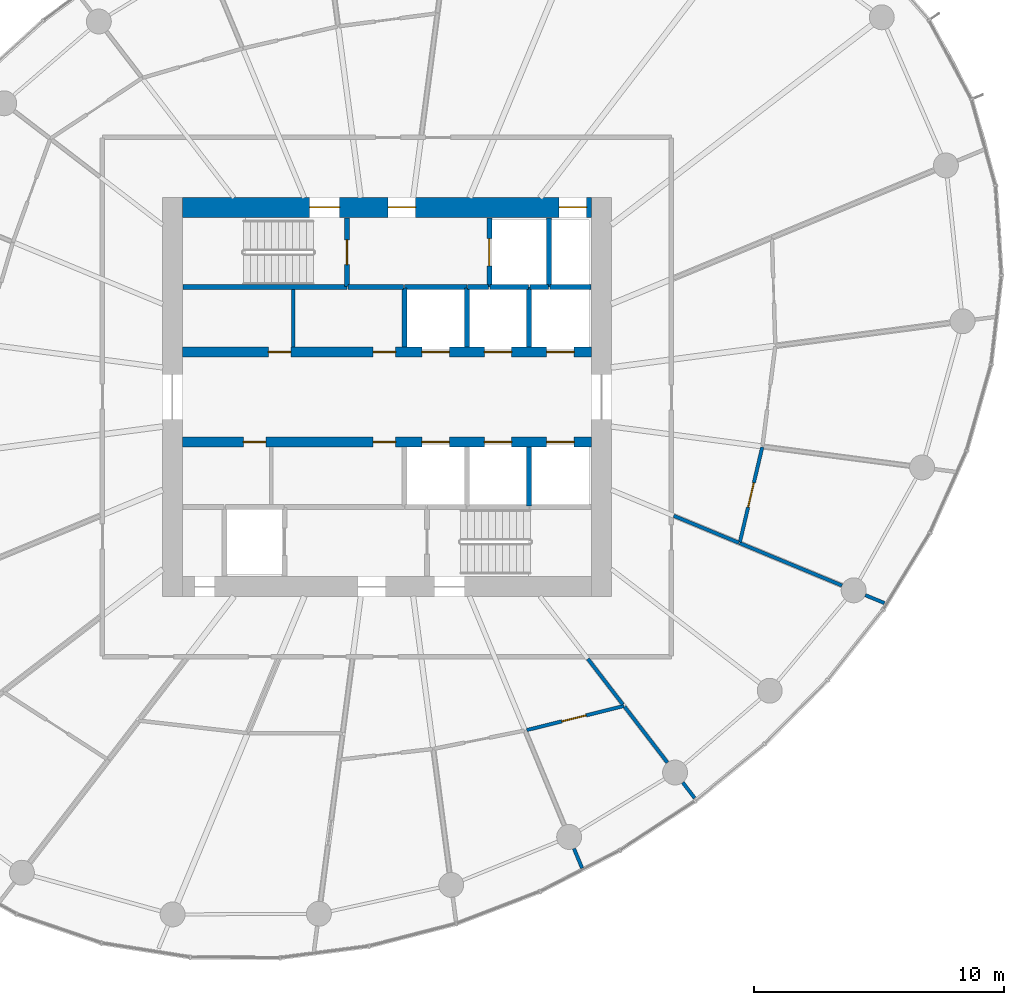
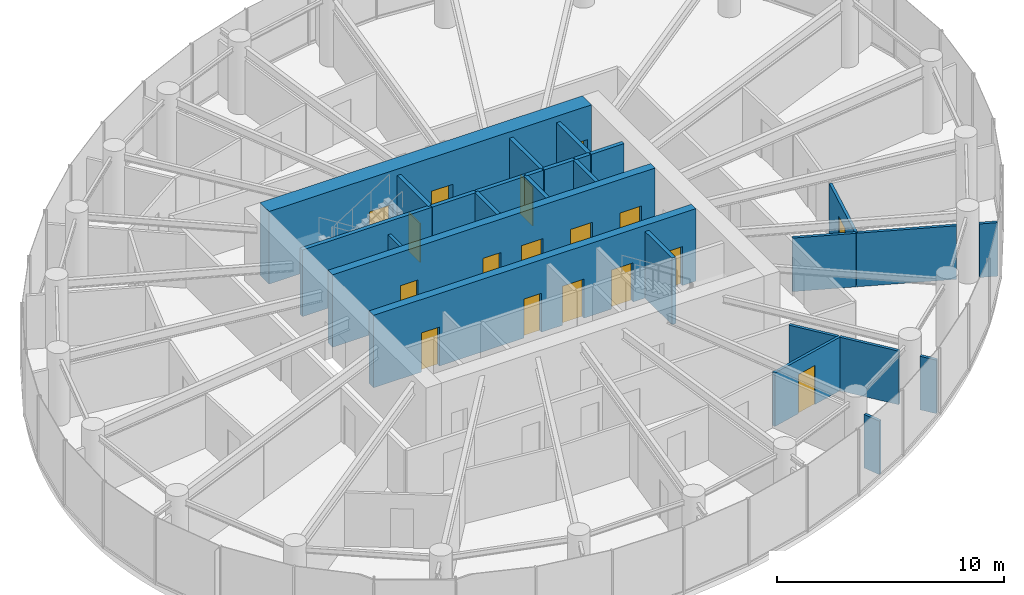
# One storey, part 10 of 14: 27 walls, 17 doors, 17 openings.
"""IFC4 building model written with IfcOpenShell, lengths in metres."""

from ifc_helpers import new_model, si_unit, direction, frame, frame_2d, origin, place, context, subcontext, project, spatial, rectangle, extrude, source, transform, mapped, material, layer, layer_set, type_object, element, fill, save


model = new_model("IFC4")

# Units and contexts
model_context = context("Model", 3, precision=1e-05, world=origin(), true_north=direction((0.0, 1.0)))
body_context = subcontext(model_context, "Body", "Model", "MODEL_VIEW")
ifc_project = project(units=[si_unit("LENGTHUNIT", "METRE"), si_unit("AREAUNIT", "SQUARE_METRE"), si_unit("VOLUMEUNIT", "CUBIC_METRE"), si_unit("PLANEANGLEUNIT", "RADIAN"), si_unit("MASSUNIT", "GRAM", prefix="KILO")], contexts=[model_context])

# Site, building, storey
site_placement = place(None, origin())
site = spatial("IfcSite", under=ifc_project, at=site_placement, CompositionType="ELEMENT")
building_placement = place(site_placement, origin())
building = spatial("IfcBuilding", under=site, at=building_placement, Name="Spindrift Exchange Tower", CompositionType="ELEMENT")
storey_placement = place(building_placement, frame((0.0, 0.0, 152.60009765625)))
storey = spatial("IfcBuildingStorey", under=building, at=storey_placement, Name="L36", CompositionType="ELEMENT", Elevation=152.60009765625)

# Wall, openings, doors
ifc_material_1 = material(Name="Concrete 65 MPa", Category="concrete")
ifc_layer_1 = layer(ifc_material_1, 0.800048828125)
ifc_layer_set_1 = layer_set([ifc_layer_1], Name="RC Core Wall 800 Concrete 65 MPa")
wall_type_1 = type_object("IfcWallType", Name="RC Core Wall 800 Concrete 65 MPa", PredefinedType="SHEAR", material=ifc_layer_set_1)
wall_1_placement = place(storey_placement, frame((60.199951171875, 55.60009765625, 0.0), z_axis=(0.0, 0.0, 1.0), x_axis=(-1.0, 0.0, 0.0)))
wall_1 = element("IfcWall", 1, at=wall_1_placement, inside=storey, type_object=wall_type_1, Name="Core wall N L36", PredefinedType="SHEAR", context=body_context, shape_type="SweptSolid", body=[
    extrude(rectangle(XDim=16.39990234375, YDim=0.800048828125, at=frame_2d((8.199951171875, 0.0))), origin(), (0.0, 0.0, 1.0), 3.89990234375),
])
opening_1_placement = place(wall_1_placement, frame((0.199951171875, 0.0, 0.0)))
opening_1 = element("IfcOpeningElement", 2, at=opening_1_placement, cuts=wall_1, Name="Opening L36-D11", PredefinedType="OPENING", context=body_context, shape_type="SweptSolid", body=[
    extrude(rectangle(XDim=1.10009765625, YDim=2.10009765625, at=frame_2d((0.550048828125, 1.050048828125))), frame((0.0, 0.409912109375, 0.0), z_axis=(0.0, -1.0, 0.0), x_axis=(1.0, 0.0, 0.0)), (0.0, 0.0, 1.0), 0.820068359375),
])
opening_2_placement = place(wall_1_placement, frame((10.10009765625, 0.0, 0.0)))
opening_2 = element("IfcOpeningElement", 3, at=opening_2_placement, cuts=wall_1, Name="Opening L36-D12", PredefinedType="OPENING", context=body_context, shape_type="SweptSolid", body=[
    extrude(rectangle(XDim=1.199951171875, YDim=2.10009765625, at=frame_2d((0.60009765625, 1.050048828125))), frame((0.0, 0.409912109375, 0.0), z_axis=(0.0, -1.0, 0.0), x_axis=(1.0, 0.0, 0.0)), (0.0, 0.0, 1.0), 0.820068359375),
])
opening_3_placement = place(wall_1_placement, frame((7.050048828125, 0.0, 0.0)))
opening_3 = element("IfcOpeningElement", 4, at=opening_3_placement, cuts=wall_1, Name="Opening L36-D14", PredefinedType="OPENING", context=body_context, shape_type="SweptSolid", body=[
    extrude(rectangle(XDim=1.10009765625, YDim=2.10009765625, at=frame_2d((0.550048828125, 1.050048828125))), frame((0.0, 0.409912109375, 0.0), z_axis=(0.0, -1.0, 0.0), x_axis=(1.0, 0.0, 0.0)), (0.0, 0.0, 1.0), 0.820068359375),
])
ifc_material_2 = material(Name="Stainless steel landing door", Category="steel")
door_type_1 = type_object("IfcDoorType", Name="DR-LANDING-1100-SL", OperationType="DOUBLE_DOOR_SLIDING", PredefinedType="USERDEFINED", material=ifc_material_2)
shared_shape_1 = source(origin(), body_context, "Body", "SweptSolid", [
    extrude(rectangle(XDim=1.10009765625, YDim=2.10009765625, at=frame_2d((0.550048828125, 1.050048828125))), frame((0.0, 0.02490234375, 0.0), z_axis=(0.0, -1.0, 0.0), x_axis=(1.0, 0.0, 0.0)), (0.0, 0.0, 1.0), 0.050048828125),
])
door_1_placement = place(opening_1_placement, origin())
door_1 = element("IfcDoor", 5, at=door_1_placement, inside=storey, type_object=door_type_1, Name="L36 Lift landing door 11", ObjectType="LANDING DOOR", OperationType="DOUBLE_DOOR_SLIDING", OverallHeight=2.10009765625, OverallWidth=1.10009765625, PredefinedType="USERDEFINED", context=body_context, shape_type="MappedRepresentation", body=[
    mapped(shared_shape_1, transform((0.0, 0.0, 0.0), scale=1.0)),
])
fill(opening_1, door_1)
ifc_material_3 = material(Name="Steel fire door", Category="steel")
door_type_2 = type_object("IfcDoorType", Name="DR-STAIR-1200", OperationType="NOTDEFINED", PredefinedType="DOOR", material=ifc_material_3)
shared_shape_2 = source(origin(), body_context, "Body", "SweptSolid", [
    extrude(rectangle(XDim=1.199951171875, YDim=2.10009765625, at=frame_2d((0.60009765625, 1.050048828125))), frame((0.0, 0.02490234375, 0.0), z_axis=(0.0, -1.0, 0.0), x_axis=(1.0, 0.0, 0.0)), (0.0, 0.0, 1.0), 0.050048828125),
])
door_2_placement = place(opening_2_placement, origin())
door_2 = element("IfcDoor", 6, at=door_2_placement, inside=storey, type_object=door_type_2, Name="L36 Stair door 12", OperationType="SINGLE_SWING_RIGHT", OverallHeight=2.10009765625, OverallWidth=1.199951171875, PredefinedType="DOOR", context=body_context, shape_type="MappedRepresentation", body=[
    mapped(shared_shape_2, transform((0.0, 0.0, 0.0), scale=1.0)),
])
fill(opening_2, door_2)
ifc_material_4 = material(Name="Timber-core fire door", Category="wood")
door_type_3 = type_object("IfcDoorType", Name="DR-LOBBY-1100", OperationType="NOTDEFINED", PredefinedType="DOOR", material=ifc_material_4)
shared_shape_3 = source(origin(), body_context, "Body", "SweptSolid", [
    extrude(rectangle(XDim=1.10009765625, YDim=2.10009765625, at=frame_2d((0.550048828125, 1.050048828125))), frame((0.0, 0.02490234375, 0.0), z_axis=(0.0, -1.0, 0.0), x_axis=(1.0, 0.0, 0.0)), (0.0, 0.0, 1.0), 0.050048828125),
])
door_3_placement = place(opening_3_placement, origin())
door_3 = element("IfcDoor", 7, at=door_3_placement, inside=storey, type_object=door_type_3, Name="L36 Lobby door 14", OperationType="SINGLE_SWING_RIGHT", OverallHeight=2.10009765625, OverallWidth=1.10009765625, PredefinedType="DOOR", context=body_context, shape_type="MappedRepresentation", body=[
    mapped(shared_shape_3, transform((0.0, 0.0, 0.0), scale=1.0)),
])
fill(opening_3, door_3)

ifc_layer_2 = layer(ifc_material_1, 0.39990234375)
ifc_layer_set_2 = layer_set([ifc_layer_2], Name="RC Spine Wall 400 Concrete 65 MPa")
wall_type_2 = type_object("IfcWallType", Name="RC Spine Wall 400 Concrete 65 MPa", PredefinedType="SHEAR", material=ifc_layer_set_2)
wall_2_placement = place(storey_placement, frame((43.800048828125, 49.800048828125, 0.0), z_axis=(0.0, 0.0, 1.0), x_axis=(1.0, 0.0, 0.0)))
wall_2 = element("IfcWall", 8, at=wall_2_placement, inside=storey, type_object=wall_type_2, Name="Core spine wall N L36", PredefinedType="SHEAR", context=body_context, shape_type="SweptSolid", body=[
    extrude(rectangle(XDim=16.39990234375, YDim=0.39990234375, at=frame_2d((8.199951171875, 0.0))), origin(), (0.0, 0.0, 1.0), 3.89990234375),
])
opening_4_placement = place(wall_2_placement, frame((9.60009765625, 0.0, 0.0)))
opening_4 = element("IfcOpeningElement", 9, at=opening_4_placement, cuts=wall_2, Name="Opening L36-D3", PredefinedType="OPENING", context=body_context, shape_type="SweptSolid", body=[
    extrude(rectangle(XDim=1.10009765625, YDim=2.10009765625, at=frame_2d((0.550048828125, 1.050048828125))), frame((0.0, 0.2099609375, 0.0), z_axis=(0.0, -1.0, 0.0), x_axis=(1.0, 0.0, 0.0)), (0.0, 0.0, 1.0), 0.419921875),
])
opening_5_placement = place(wall_2_placement, frame((12.10009765625, 0.0, 0.0)))
opening_5 = element("IfcOpeningElement", 10, at=opening_5_placement, cuts=wall_2, Name="Opening L36-D4", PredefinedType="OPENING", context=body_context, shape_type="SweptSolid", body=[
    extrude(rectangle(XDim=1.10009765625, YDim=2.10009765625, at=frame_2d((0.550048828125, 1.050048828125))), frame((0.0, 0.2099609375, 0.0), z_axis=(0.0, -1.0, 0.0), x_axis=(1.0, 0.0, 0.0)), (0.0, 0.0, 1.0), 0.419921875),
])
opening_6_placement = place(wall_2_placement, frame((14.60009765625, 0.0, 0.0)))
opening_6 = element("IfcOpeningElement", 11, at=opening_6_placement, cuts=wall_2, Name="Opening L36-D5", PredefinedType="OPENING", context=body_context, shape_type="SweptSolid", body=[
    extrude(rectangle(XDim=1.10009765625, YDim=2.10009765625, at=frame_2d((0.550048828125, 1.050048828125))), frame((0.0, 0.2099609375, 0.0), z_axis=(0.0, -1.0, 0.0), x_axis=(1.0, 0.0, 0.0)), (0.0, 0.0, 1.0), 0.419921875),
])
opening_7_placement = place(wall_2_placement, frame((3.449951171875, 0.0, 0.0)))
opening_7 = element("IfcOpeningElement", 12, at=opening_7_placement, cuts=wall_2, Name="Opening L36-D45", PredefinedType="OPENING", context=body_context, shape_type="SweptSolid", body=[
    extrude(rectangle(XDim=0.89990234375, YDim=2.10009765625, at=frame_2d((0.449951171875, 1.050048828125))), frame((0.0, 0.2099609375, 0.0), z_axis=(0.0, -1.0, 0.0), x_axis=(1.0, 0.0, 0.0)), (0.0, 0.0, 1.0), 0.419921875),
])
opening_8_placement = place(wall_2_placement, frame((7.64990234375, 0.0, 0.0)))
opening_8 = element("IfcOpeningElement", 13, at=opening_8_placement, cuts=wall_2, Name="Opening L36-D46", PredefinedType="OPENING", context=body_context, shape_type="SweptSolid", body=[
    extrude(rectangle(XDim=0.89990234375, YDim=2.10009765625, at=frame_2d((0.449951171875, 1.050048828125))), frame((0.0, 0.2099609375, 0.0), z_axis=(0.0, -1.0, 0.0), x_axis=(1.0, 0.0, 0.0)), (0.0, 0.0, 1.0), 0.419921875),
])
door_4_placement = place(opening_4_placement, origin())
door_4 = element("IfcDoor", 14, at=door_4_placement, inside=storey, type_object=door_type_1, Name="L36 Lift landing door 3", ObjectType="LANDING DOOR", OperationType="DOUBLE_DOOR_SLIDING", OverallHeight=2.10009765625, OverallWidth=1.10009765625, PredefinedType="USERDEFINED", context=body_context, shape_type="MappedRepresentation", body=[
    mapped(shared_shape_1, transform((0.0, 0.0, 0.0), scale=1.0)),
])
fill(opening_4, door_4)
door_5_placement = place(opening_5_placement, origin())
door_5 = element("IfcDoor", 15, at=door_5_placement, inside=storey, type_object=door_type_1, Name="L36 Lift landing door 4", ObjectType="LANDING DOOR", OperationType="DOUBLE_DOOR_SLIDING", OverallHeight=2.10009765625, OverallWidth=1.10009765625, PredefinedType="USERDEFINED", context=body_context, shape_type="MappedRepresentation", body=[
    mapped(shared_shape_1, transform((0.0, 0.0, 0.0), scale=1.0)),
])
fill(opening_5, door_5)
door_6_placement = place(opening_6_placement, origin())
door_6 = element("IfcDoor", 16, at=door_6_placement, inside=storey, type_object=door_type_1, Name="L36 Lift landing door 5", ObjectType="LANDING DOOR", OperationType="DOUBLE_DOOR_SLIDING", OverallHeight=2.10009765625, OverallWidth=1.10009765625, PredefinedType="USERDEFINED", context=body_context, shape_type="MappedRepresentation", body=[
    mapped(shared_shape_1, transform((0.0, 0.0, 0.0), scale=1.0)),
])
fill(opening_6, door_6)
ifc_material_5 = material(Name="Steel access door", Category="steel")
door_type_4 = type_object("IfcDoorType", Name="DR-RISER-900", OperationType="NOTDEFINED", PredefinedType="DOOR", material=ifc_material_5)
shared_shape_4 = source(origin(), body_context, "Body", "SweptSolid", [
    extrude(rectangle(XDim=0.89990234375, YDim=2.10009765625, at=frame_2d((0.449951171875, 1.050048828125))), frame((0.0, 0.02490234375, 0.0), z_axis=(0.0, -1.0, 0.0), x_axis=(1.0, 0.0, 0.0)), (0.0, 0.0, 1.0), 0.050048828125),
])
door_7_placement = place(opening_7_placement, origin())
door_7 = element("IfcDoor", 17, at=door_7_placement, inside=storey, type_object=door_type_4, Name="L36 Riser door 45", OperationType="SINGLE_SWING_LEFT", OverallHeight=2.10009765625, OverallWidth=0.89990234375, PredefinedType="DOOR", context=body_context, shape_type="MappedRepresentation", body=[
    mapped(shared_shape_4, transform((0.0, 0.0, 0.0), scale=1.0)),
])
fill(opening_7, door_7)
door_8_placement = place(opening_8_placement, origin())
door_8 = element("IfcDoor", 18, at=door_8_placement, inside=storey, type_object=door_type_4, Name="L36 Riser door 46", OperationType="SINGLE_SWING_RIGHT", OverallHeight=2.10009765625, OverallWidth=0.89990234375, PredefinedType="DOOR", context=body_context, shape_type="MappedRepresentation", body=[
    mapped(shared_shape_4, transform((0.0, 0.0, 0.0), scale=1.0)),
])
fill(opening_8, door_8)

wall_3_placement = place(storey_placement, frame((43.800048828125, 46.199951171875, 0.0), z_axis=(0.0, 0.0, 1.0), x_axis=(1.0, 0.0, 0.0)))
wall_3 = element("IfcWall", 19, at=wall_3_placement, inside=storey, type_object=wall_type_2, Name="Core spine wall S L36", PredefinedType="SHEAR", context=body_context, shape_type="SweptSolid", body=[
    extrude(rectangle(XDim=16.39990234375, YDim=0.39990234375, at=frame_2d((8.199951171875, 0.0))), origin(), (0.0, 0.0, 1.0), 3.89990234375),
])
opening_9_placement = place(wall_3_placement, frame((9.60009765625, 0.0, 0.0)))
opening_9 = element("IfcOpeningElement", 20, at=opening_9_placement, cuts=wall_3, Name="Opening L36-D6", PredefinedType="OPENING", context=body_context, shape_type="SweptSolid", body=[
    extrude(rectangle(XDim=1.10009765625, YDim=2.10009765625, at=frame_2d((0.550048828125, 1.050048828125))), frame((0.0, 0.2099609375, 0.0), z_axis=(0.0, -1.0, 0.0), x_axis=(1.0, 0.0, 0.0)), (0.0, 0.0, 1.0), 0.419921875),
])
opening_10_placement = place(wall_3_placement, frame((12.10009765625, 0.0, 0.0)))
opening_10 = element("IfcOpeningElement", 21, at=opening_10_placement, cuts=wall_3, Name="Opening L36-D7", PredefinedType="OPENING", context=body_context, shape_type="SweptSolid", body=[
    extrude(rectangle(XDim=1.10009765625, YDim=2.10009765625, at=frame_2d((0.550048828125, 1.050048828125))), frame((0.0, 0.2099609375, 0.0), z_axis=(0.0, -1.0, 0.0), x_axis=(1.0, 0.0, 0.0)), (0.0, 0.0, 1.0), 0.419921875),
])
opening_11_placement = place(wall_3_placement, frame((14.60009765625, 0.0, 0.0)))
opening_11 = element("IfcOpeningElement", 22, at=opening_11_placement, cuts=wall_3, Name="Opening L36-D8", PredefinedType="OPENING", context=body_context, shape_type="SweptSolid", body=[
    extrude(rectangle(XDim=1.10009765625, YDim=2.10009765625, at=frame_2d((0.550048828125, 1.050048828125))), frame((0.0, 0.2099609375, 0.0), z_axis=(0.0, -1.0, 0.0), x_axis=(1.0, 0.0, 0.0)), (0.0, 0.0, 1.0), 0.419921875),
])
opening_12_placement = place(wall_3_placement, frame((2.449951171875, 0.0, 0.0)))
opening_12 = element("IfcOpeningElement", 23, at=opening_12_placement, cuts=wall_3, Name="Opening L36-D47", PredefinedType="OPENING", context=body_context, shape_type="SweptSolid", body=[
    extrude(rectangle(XDim=0.89990234375, YDim=2.10009765625, at=frame_2d((0.449951171875, 1.050048828125))), frame((0.0, 0.2099609375, 0.0), z_axis=(0.0, -1.0, 0.0), x_axis=(1.0, 0.0, 0.0)), (0.0, 0.0, 1.0), 0.419921875),
])
opening_13_placement = place(wall_3_placement, frame((7.64990234375, 0.0, 0.0)))
opening_13 = element("IfcOpeningElement", 24, at=opening_13_placement, cuts=wall_3, Name="Opening L36-D48", PredefinedType="OPENING", context=body_context, shape_type="SweptSolid", body=[
    extrude(rectangle(XDim=0.89990234375, YDim=2.10009765625, at=frame_2d((0.449951171875, 1.050048828125))), frame((0.0, 0.2099609375, 0.0), z_axis=(0.0, -1.0, 0.0), x_axis=(1.0, 0.0, 0.0)), (0.0, 0.0, 1.0), 0.419921875),
])
door_9_placement = place(opening_9_placement, origin())
door_9 = element("IfcDoor", 25, at=door_9_placement, inside=storey, type_object=door_type_1, Name="L36 Lift landing door 6", ObjectType="LANDING DOOR", OperationType="DOUBLE_DOOR_SLIDING", OverallHeight=2.10009765625, OverallWidth=1.10009765625, PredefinedType="USERDEFINED", context=body_context, shape_type="MappedRepresentation", body=[
    mapped(shared_shape_1, transform((0.0, 0.0, 0.0), scale=1.0)),
])
fill(opening_9, door_9)
door_10_placement = place(opening_10_placement, origin())
door_10 = element("IfcDoor", 26, at=door_10_placement, inside=storey, type_object=door_type_1, Name="L36 Lift landing door 7", ObjectType="LANDING DOOR", OperationType="DOUBLE_DOOR_SLIDING", OverallHeight=2.10009765625, OverallWidth=1.10009765625, PredefinedType="USERDEFINED", context=body_context, shape_type="MappedRepresentation", body=[
    mapped(shared_shape_1, transform((0.0, 0.0, 0.0), scale=1.0)),
])
fill(opening_10, door_10)
door_11_placement = place(opening_11_placement, origin())
door_11 = element("IfcDoor", 27, at=door_11_placement, inside=storey, type_object=door_type_1, Name="L36 Lift landing door 8", ObjectType="LANDING DOOR", OperationType="DOUBLE_DOOR_SLIDING", OverallHeight=2.10009765625, OverallWidth=1.10009765625, PredefinedType="USERDEFINED", context=body_context, shape_type="MappedRepresentation", body=[
    mapped(shared_shape_1, transform((0.0, 0.0, 0.0), scale=1.0)),
])
fill(opening_11, door_11)
door_12_placement = place(opening_12_placement, origin())
door_12 = element("IfcDoor", 28, at=door_12_placement, inside=storey, type_object=door_type_4, Name="L36 Riser door 47", OperationType="SINGLE_SWING_LEFT", OverallHeight=2.10009765625, OverallWidth=0.89990234375, PredefinedType="DOOR", context=body_context, shape_type="MappedRepresentation", body=[
    mapped(shared_shape_4, transform((0.0, 0.0, 0.0), scale=1.0)),
])
fill(opening_12, door_12)
door_13_placement = place(opening_13_placement, origin())
door_13 = element("IfcDoor", 29, at=door_13_placement, inside=storey, type_object=door_type_4, Name="L36 Riser door 48", OperationType="SINGLE_SWING_RIGHT", OverallHeight=2.10009765625, OverallWidth=0.89990234375, PredefinedType="DOOR", context=body_context, shape_type="MappedRepresentation", body=[
    mapped(shared_shape_4, transform((0.0, 0.0, 0.0), scale=1.0)),
])
fill(opening_13, door_13)

# Wall
ifc_material_6 = material(Name="Fire-rated plasterboard partition", Category="gypsum")
ifc_layer_3 = layer(ifc_material_6, 0.139892578125)
ifc_layer_set_3 = layer_set([ifc_layer_3], Name="W-PART-140")
wall_type_3 = type_object("IfcWallType", Name="W-PART-140", PredefinedType="PARTITIONING", material=ifc_layer_set_3)
wall_4_placement = place(storey_placement, frame((66.130615234375, 42.14697265625, 0.0), z_axis=(0.0, 0.0, 1.0), x_axis=(0.923872072557, -0.382701441792, 0.0)))
element("IfcWall", 30, at=wall_4_placement, inside=storey, type_object=wall_type_3, Name="L36 Partition wall 47", PredefinedType="PARTITIONING", context=body_context, shape_type="SweptSolid", body=[
    extrude(rectangle(XDim=4.440185546875, YDim=0.139892578125, at=frame_2d((2.22021484375, 0.0))), origin(), (0.0, 0.0, 1.0), 2.8798828125),
])

# Wall, opening, door
wall_5_placement = place(storey_placement, frame((61.498779296875, 35.620849609375, 0.0), z_axis=(0.0, 0.0, 1.0), x_axis=(-0.970705214058, -0.240273567836, 0.0)))
wall_5 = element("IfcWall", 31, at=wall_5_placement, inside=storey, type_object=wall_type_3, Name="L36 Partition wall 58", PredefinedType="PARTITIONING", context=body_context, shape_type="SweptSolid", body=[
    extrude(rectangle(XDim=4.013671875, YDim=0.139892578125, at=frame_2d((2.0068359375, 0.0))), origin(), (0.0, 0.0, 1.0), 2.8798828125),
])
opening_14_placement = place(wall_5_placement, frame((1.5634765625, 0.0, 0.0)))
opening_14 = element("IfcOpeningElement", 32, at=opening_14_placement, cuts=wall_5, Name="Opening L36-D24", PredefinedType="OPENING", context=body_context, shape_type="SweptSolid", body=[
    extrude(rectangle(XDim=1.0, YDim=2.10009765625, at=frame_2d((0.5, 1.050048828125))), frame((0.0, 0.079833984375, 0.0), z_axis=(0.0, -1.0, 0.0), x_axis=(1.0, 0.0, 0.0)), (0.0, 0.0, 1.0), 0.159912109375),
])
door_type_5 = type_object("IfcDoorType", Name="DR-ROOM-1000", OperationType="NOTDEFINED", PredefinedType="DOOR", material=ifc_material_4)
shared_shape_5 = source(origin(), body_context, "Body", "SweptSolid", [
    extrude(rectangle(XDim=1.0, YDim=2.10009765625, at=frame_2d((0.5, 1.050048828125))), frame((0.0, 0.02490234375, 0.0), z_axis=(0.0, -1.0, 0.0), x_axis=(1.0, 0.0, 0.0)), (0.0, 0.0, 1.0), 0.050048828125),
])
door_14_placement = place(opening_14_placement, origin())
door_14 = element("IfcDoor", 33, at=door_14_placement, inside=storey, type_object=door_type_5, Name="L36 Door 24", OperationType="SINGLE_SWING_RIGHT", OverallHeight=2.10009765625, OverallWidth=1.0, PredefinedType="DOOR", context=body_context, shape_type="MappedRepresentation", body=[
    mapped(shared_shape_5, transform((0.0, 0.0, 0.0), scale=1.0)),
])
fill(opening_14, door_14)

wall_6_placement = place(storey_placement, frame((67.036865234375, 45.990234375, 0.0), z_axis=(0.0, 0.0, 1.0), x_axis=(-0.229452538662, -0.973319851077, 0.0)))
wall_6 = element("IfcWall", 34, at=wall_6_placement, inside=storey, type_object=wall_type_3, Name="L36 Partition wall 61", PredefinedType="PARTITIONING", context=body_context, shape_type="SweptSolid", body=[
    extrude(rectangle(XDim=3.918701171875, YDim=0.139892578125, at=frame_2d((1.95947265625, 0.0))), origin(), (0.0, 0.0, 1.0), 2.8798828125),
])
opening_15_placement = place(wall_6_placement, frame((1.46875, 0.0, 0.0)))
opening_15 = element("IfcOpeningElement", 35, at=opening_15_placement, cuts=wall_6, Name="Opening L36-D28", PredefinedType="OPENING", context=body_context, shape_type="SweptSolid", body=[
    extrude(rectangle(XDim=1.0, YDim=2.10009765625, at=frame_2d((0.5, 1.050048828125))), frame((0.0, 0.079833984375, 0.0), z_axis=(0.0, -1.0, 0.0), x_axis=(1.0, 0.0, 0.0)), (0.0, 0.0, 1.0), 0.159912109375),
])
door_15_placement = place(opening_15_placement, origin())
door_15 = element("IfcDoor", 36, at=door_15_placement, inside=storey, type_object=door_type_5, Name="L36 Door 28", OperationType="SINGLE_SWING_RIGHT", OverallHeight=2.10009765625, OverallWidth=1.0, PredefinedType="DOOR", context=body_context, shape_type="MappedRepresentation", body=[
    mapped(shared_shape_5, transform((0.0, 0.0, 0.0), scale=1.0)),
])
fill(opening_15, door_15)

# Walls
wall_7_placement = place(storey_placement, frame((63.489990234375, 43.24072265625, 0.0), z_axis=(0.0, 0.0, 1.0), x_axis=(0.923859015747, -0.382732960462, 0.0)))
element("IfcWall", 37, at=wall_7_placement, inside=storey, type_object=wall_type_3, Name="L36 Partition wall 70", PredefinedType="PARTITIONING", context=body_context, shape_type="SweptSolid", body=[
    extrude(rectangle(XDim=2.828369140625, YDim=0.139892578125, at=frame_2d((1.4140625, 0.0))), origin(), (0.0, 0.0, 1.0), 2.8798828125),
])
wall_8_placement = place(storey_placement, frame((61.51708984375, 35.59716796875, 0.0), z_axis=(0.0, 0.0, 1.0), x_axis=(0.608716333524, -0.793387941238, 0.0)))
element("IfcWall", 38, at=wall_8_placement, inside=storey, type_object=wall_type_3, Name="L36 Partition wall 71", PredefinedType="PARTITIONING", context=body_context, shape_type="SweptSolid", body=[
    extrude(rectangle(XDim=2.8251953125, YDim=0.139892578125, at=frame_2d((1.41259765625, 0.0))), origin(), (0.0, 0.0, 1.0), 2.8798828125),
])
wall_9_placement = place(storey_placement, frame((60.04931640625, 37.510009765625, 0.0), z_axis=(0.0, 0.0, 1.0), x_axis=(0.608742818772, -0.793367620081, 0.0)))
element("IfcWall", 39, at=wall_9_placement, inside=storey, type_object=wall_type_3, Name="L36 Partition wall 73", PredefinedType="PARTITIONING", context=body_context, shape_type="SweptSolid", body=[
    extrude(rectangle(XDim=2.304931640625, YDim=0.139892578125, at=frame_2d((1.15234375, 0.0))), origin(), (0.0, 0.0, 1.0), 2.8798828125),
])
wall_10_placement = place(storey_placement, frame((48.25, 50.010009765625, 0.0), z_axis=(0.0, 0.0, 1.0), x_axis=(0.0, 1.0, 0.0)))
element("IfcWall", 40, at=wall_10_placement, inside=storey, type_object=wall_type_3, Name="L36 Partition wall 75", PredefinedType="PARTITIONING", context=body_context, shape_type="SweptSolid", body=[
    extrude(rectangle(XDim=2.2900390625, YDim=0.139892578125, at=frame_2d((1.14501953125, 0.0))), origin(), (0.0, 0.0, 1.0), 2.8798828125),
])
wall_11_placement = place(storey_placement, frame((59.494140625, 29.90771484375, 0.0), z_axis=(0.0, 0.0, 1.0), x_axis=(0.382722863119, -0.923863198772, 0.0)))
element("IfcWall", 41, at=wall_11_placement, inside=storey, type_object=wall_type_3, Name="L36 Partition wall 90", PredefinedType="PARTITIONING", context=body_context, shape_type="SweptSolid", body=[
    extrude(rectangle(XDim=0.852294921875, YDim=0.139892578125, at=frame_2d((0.42626953125, 0.0))), origin(), (0.0, 0.0, 1.0), 2.8798828125),
])
wall_12_placement = place(storey_placement, frame((71.166015625, 40.061279296875, 0.0), z_axis=(0.0, 0.0, 1.0), x_axis=(0.923909393783, -0.382611332921, 0.0)))
element("IfcWall", 42, at=wall_12_placement, inside=storey, type_object=wall_type_3, Name="L36 Partition wall 95", PredefinedType="PARTITIONING", context=body_context, shape_type="SweptSolid", body=[
    extrude(rectangle(XDim=0.830810546875, YDim=0.139892578125, at=frame_2d((0.41552734375, 0.0))), origin(), (0.0, 0.0, 1.0), 2.8798828125),
])
wall_13_placement = place(storey_placement, frame((63.85107421875, 32.555419921875, 0.0), z_axis=(0.0, 0.0, 1.0), x_axis=(0.608659697441, -0.793431391307, 0.0)))
element("IfcWall", 43, at=wall_13_placement, inside=storey, type_object=wall_type_3, Name="L36 Partition wall 97", PredefinedType="PARTITIONING", context=body_context, shape_type="SweptSolid", body=[
    extrude(rectangle(XDim=0.7861328125, YDim=0.139892578125, at=frame_2d((0.39306640625, 0.0))), origin(), (0.0, 0.0, 1.0), 2.8798828125),
])

# Wall, opening, door
ifc_material_7 = material(Name="Concrete 40 MPa", Category="concrete")
ifc_layer_4 = layer(ifc_material_7, 0.199951171875)
ifc_layer_set_4 = layer_set([ifc_layer_4], Name="W-SHAFT-200")
wall_type_4 = type_object("IfcWallType", Name="W-SHAFT-200", PredefinedType="SOLIDWALL", material=ifc_layer_set_4)
wall_14_placement = place(storey_placement, frame((56.10009765625, 55.179931640625, 0.0), z_axis=(0.0, 0.0, 1.0), x_axis=(0.0, -1.0, 0.0)))
wall_14 = element("IfcWall", 44, at=wall_14_placement, inside=storey, type_object=wall_type_4, Name="L36 Shaft wall 7", PredefinedType="SOLIDWALL", context=body_context, shape_type="SweptSolid", body=[
    extrude(rectangle(XDim=2.780029296875, YDim=0.199951171875, at=frame_2d((1.39013671875, 0.0))), origin(), (0.0, 0.0, 1.0), 3.579833984375),
])
opening_16_placement = place(wall_14_placement, frame((0.830078125, 0.0, 0.0)))
opening_16 = element("IfcOpeningElement", 45, at=opening_16_placement, cuts=wall_14, Name="Opening L36-D9", PredefinedType="OPENING", context=body_context, shape_type="SweptSolid", body=[
    extrude(rectangle(XDim=1.10009765625, YDim=2.10009765625, at=frame_2d((0.550048828125, 1.050048828125))), frame((0.0, 0.10986328125, 0.0), z_axis=(0.0, -1.0, 0.0), x_axis=(1.0, 0.0, 0.0)), (0.0, 0.0, 1.0), 0.219970703125),
])
door_16_placement = place(opening_16_placement, origin())
door_16 = element("IfcDoor", 46, at=door_16_placement, inside=storey, type_object=door_type_1, Name="L36 Lift landing door 9", ObjectType="LANDING DOOR", OperationType="DOUBLE_DOOR_SLIDING", OverallHeight=2.10009765625, OverallWidth=1.10009765625, PredefinedType="USERDEFINED", context=body_context, shape_type="MappedRepresentation", body=[
    mapped(shared_shape_1, transform((0.0, 0.0, 0.0), scale=1.0)),
])
fill(opening_16, door_16)

# Walls
wall_15_placement = place(storey_placement, frame((58.5, 52.39990234375, 0.0), z_axis=(0.0, 0.0, 1.0), x_axis=(0.0, 1.0, 0.0)))
element("IfcWall", 47, at=wall_15_placement, inside=storey, type_object=wall_type_4, Name="L36 Shaft wall 8", PredefinedType="SOLIDWALL", context=body_context, shape_type="SweptSolid", body=[
    extrude(rectangle(XDim=2.780029296875, YDim=0.199951171875, at=frame_2d((1.39013671875, 0.0))), origin(), (0.0, 0.0, 1.0), 3.579833984375),
])
wall_16_placement = place(storey_placement, frame((55.199951171875, 52.39990234375, 0.0), z_axis=(0.0, 0.0, 1.0), x_axis=(-1.0, 0.0, 0.0)))
element("IfcWall", 48, at=wall_16_placement, inside=storey, type_object=wall_type_4, Name="L36 Shaft wall 9", PredefinedType="SOLIDWALL", context=body_context, shape_type="SweptSolid", body=[
    extrude(rectangle(XDim=2.5, YDim=0.199951171875, at=frame_2d((1.25, 0.0))), origin(), (0.0, 0.0, 1.0), 3.579833984375),
])
for number, where, z_axis, x_axis, name in (
    (49, (52.699951171875, 52.3701171875, 0.0), (0.0, 0.0, 1.0), (0.0, -1.0, 0.0), "L36 Shaft wall 14"),
    (50, (55.199951171875, 50.010009765625, 0.0), (0.0, 0.0, 1.0), (0.0, 1.0, 0.0), "L36 Shaft wall 16"),
):
    element("IfcWall", number, at=place(storey_placement, frame(where, z_axis=z_axis, x_axis=x_axis)), inside=storey, type_object=wall_type_4, Name=name, PredefinedType="SOLIDWALL", context=body_context, shape_type="SweptSolid", body=[
        extrude(rectangle(XDim=2.360107421875, YDim=0.199951171875, at=frame_2d((1.18017578125, 0.0))), origin(), (0.0, 0.0, 1.0), 3.579833984375),
    ])
wall_17_placement = place(storey_placement, frame((57.699951171875, 50.010009765625, 0.0), z_axis=(0.0, 0.0, 1.0), x_axis=(0.0, 1.0, 0.0)))
element("IfcWall", 51, at=wall_17_placement, inside=storey, type_object=wall_type_4, Name="L36 Shaft wall 18", PredefinedType="SOLIDWALL", context=body_context, shape_type="SweptSolid", body=[
    extrude(rectangle(XDim=2.389892578125, YDim=0.199951171875, at=frame_2d((1.19482421875, 0.0))), origin(), (0.0, 0.0, 1.0), 3.579833984375),
])
wall_18_placement = place(storey_placement, frame((60.179931640625, 52.39990234375, 0.0), z_axis=(0.0, 0.0, 1.0), x_axis=(-1.0, 0.0, 0.0)))
element("IfcWall", 52, at=wall_18_placement, inside=storey, type_object=wall_type_4, Name="L36 Shaft wall 21", PredefinedType="SOLIDWALL", context=body_context, shape_type="SweptSolid", body=[
    extrude(rectangle(XDim=1.64990234375, YDim=0.199951171875, at=frame_2d((0.824951171875, 0.0))), origin(), (0.0, 0.0, 1.0), 3.579833984375),
])
wall_19_placement = place(storey_placement, frame((57.669921875, 52.39990234375, 0.0), z_axis=(0.0, 0.0, 1.0), x_axis=(-1.0, 0.0, 0.0)))
element("IfcWall", 53, at=wall_19_placement, inside=storey, type_object=wall_type_4, Name="L36 Shaft wall 23", PredefinedType="SOLIDWALL", context=body_context, shape_type="SweptSolid", body=[
    extrude(rectangle(XDim=1.5400390625, YDim=0.199951171875, at=frame_2d((0.77001953125, 0.0))), origin(), (0.0, 0.0, 1.0), 3.579833984375),
])
wall_20_placement = place(storey_placement, frame((56.070068359375, 52.39990234375, 0.0), z_axis=(0.0, 0.0, 1.0), x_axis=(-1.0, 0.0, 0.0)))
element("IfcWall", 54, at=wall_20_placement, inside=storey, type_object=wall_type_4, Name="L36 Shaft wall 25", PredefinedType="SOLIDWALL", context=body_context, shape_type="SweptSolid", body=[
    extrude(rectangle(XDim=0.840087890625, YDim=0.199951171875, at=frame_2d((0.419921875, 0.0))), origin(), (0.0, 0.0, 1.0), 3.579833984375),
])
wall_21_placement = place(storey_placement, frame((58.469970703125, 52.39990234375, 0.0), z_axis=(0.0, 0.0, 1.0), x_axis=(-1.0, 0.0, 0.0)))
element("IfcWall", 55, at=wall_21_placement, inside=storey, type_object=wall_type_4, Name="L36 Shaft wall 26", PredefinedType="SOLIDWALL", context=body_context, shape_type="SweptSolid", body=[
    extrude(rectangle(XDim=0.739990234375, YDim=0.199951171875, at=frame_2d((0.3701171875, 0.0))), origin(), (0.0, 0.0, 1.0), 3.579833984375),
])
ifc_layer_5 = layer(ifc_material_7, 0.199951171875)
ifc_layer_set_5 = layer_set([ifc_layer_5], Name="W-SHAFT-200-LB")
wall_type_5 = type_object("IfcWallType", Name="W-SHAFT-200-LB", PredefinedType="SOLIDWALL", material=ifc_layer_set_5)
wall_22_placement = place(storey_placement, frame((43.820068359375, 52.39990234375, 0.0), z_axis=(0.0, 0.0, 1.0), x_axis=(1.0, 0.0, 0.0)))
element("IfcWall", 56, at=wall_22_placement, inside=storey, type_object=wall_type_5, Name="L36 Shaft wall 1", PredefinedType="SOLIDWALL", context=body_context, shape_type="SweptSolid", body=[
    extrude(rectangle(XDim=6.579833984375, YDim=0.199951171875, at=frame_2d((3.2900390625, 0.0))), origin(), (0.0, 0.0, 1.0), 3.579833984375),
])

# Wall, opening, door
wall_23_placement = place(storey_placement, frame((50.39990234375, 52.429931640625, 0.0), z_axis=(0.0, 0.0, 1.0), x_axis=(0.0, 1.0, 0.0)))
wall_23 = element("IfcWall", 57, at=wall_23_placement, inside=storey, type_object=wall_type_5, Name="L36 Shaft wall 5", PredefinedType="SOLIDWALL", context=body_context, shape_type="SweptSolid", body=[
    extrude(rectangle(XDim=2.75, YDim=0.199951171875, at=frame_2d((1.375, 0.0))), origin(), (0.0, 0.0, 1.0), 3.579833984375),
])
opening_17_placement = place(wall_23_placement, frame((0.8701171875, 0.0, 0.0)))
opening_17 = element("IfcOpeningElement", 58, at=opening_17_placement, cuts=wall_23, Name="Opening L36-D13", PredefinedType="OPENING", context=body_context, shape_type="SweptSolid", body=[
    extrude(rectangle(XDim=1.0, YDim=2.10009765625, at=frame_2d((0.5, 1.050048828125))), frame((0.0, 0.10986328125, 0.0), z_axis=(0.0, -1.0, 0.0), x_axis=(1.0, 0.0, 0.0)), (0.0, 0.0, 1.0), 0.219970703125),
])
door_type_6 = type_object("IfcDoorType", Name="DR-STAIR-1000", OperationType="NOTDEFINED", PredefinedType="DOOR", material=ifc_material_3)
shared_shape_6 = source(origin(), body_context, "Body", "SweptSolid", [
    extrude(rectangle(XDim=1.0, YDim=2.10009765625, at=frame_2d((0.5, 1.050048828125))), frame((0.0, 0.02490234375, 0.0), z_axis=(0.0, -1.0, 0.0), x_axis=(1.0, 0.0, 0.0)), (0.0, 0.0, 1.0), 0.050048828125),
])
door_17_placement = place(opening_17_placement, origin())
door_17 = element("IfcDoor", 59, at=door_17_placement, inside=storey, type_object=door_type_6, Name="L36 Stair door 13", OperationType="SINGLE_SWING_LEFT", OverallHeight=2.10009765625, OverallWidth=1.0, PredefinedType="DOOR", context=body_context, shape_type="MappedRepresentation", body=[
    mapped(shared_shape_6, transform((0.0, 0.0, 0.0), scale=1.0)),
])
fill(opening_17, door_17)

# Walls
wall_24_placement = place(storey_placement, frame((57.699951171875, 43.6298828125, 0.0), z_axis=(0.0, 0.0, 1.0), x_axis=(0.0, 1.0, 0.0)))
element("IfcWall", 60, at=wall_24_placement, inside=storey, type_object=wall_type_5, Name="L36 Shaft wall 17", PredefinedType="SOLIDWALL", context=body_context, shape_type="SweptSolid", body=[
    extrude(rectangle(XDim=2.360107421875, YDim=0.199951171875, at=frame_2d((1.18017578125, 0.0))), origin(), (0.0, 0.0, 1.0), 3.579833984375),
])
wall_25_placement = place(storey_placement, frame((50.429931640625, 52.39990234375, 0.0), z_axis=(0.0, 0.0, 1.0), x_axis=(1.0, 0.0, 0.0)))
element("IfcWall", 61, at=wall_25_placement, inside=storey, type_object=wall_type_5, Name="L36 Shaft wall 19", PredefinedType="SOLIDWALL", context=body_context, shape_type="SweptSolid", body=[
    extrude(rectangle(XDim=2.239990234375, YDim=0.199951171875, at=frame_2d((1.1201171875, 0.0))), origin(), (0.0, 0.0, 1.0), 3.579833984375),
])

save(model, "model.ifc")
